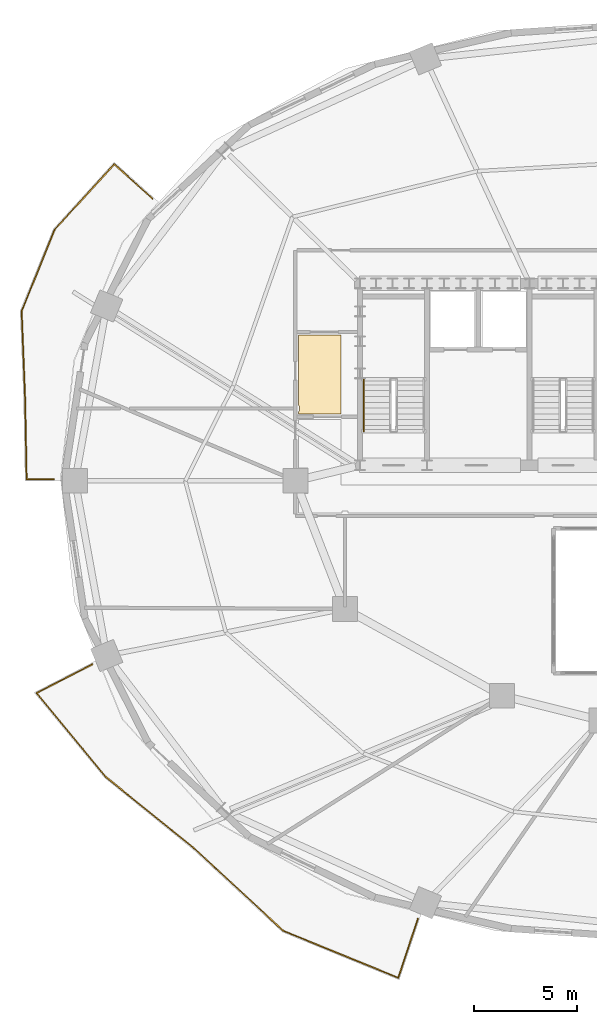
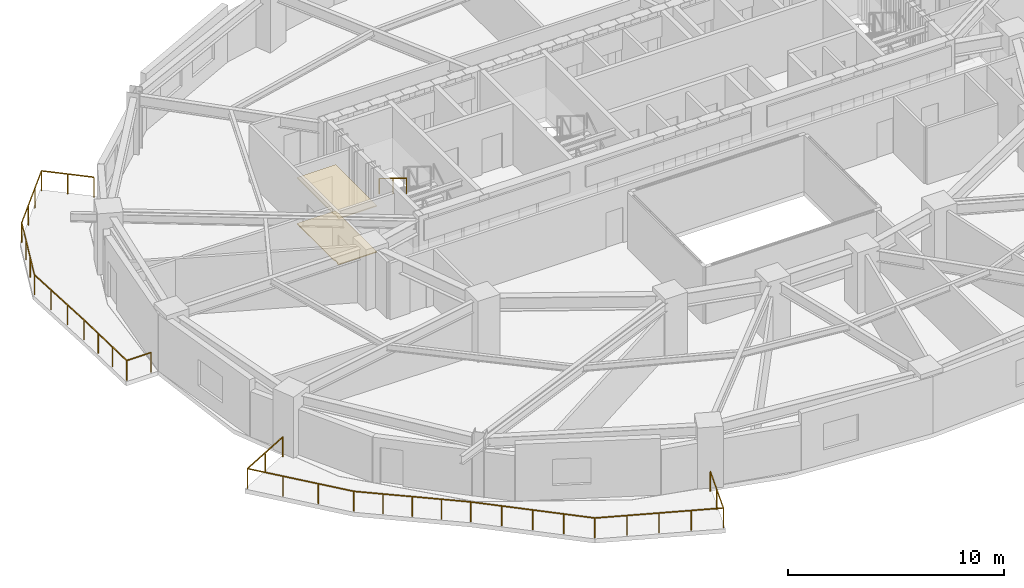
# One storey, part 10 of 12: 3 railings, 2 coverings.
"""IFC4 building model written with IfcOpenShell, lengths in metres."""

from ifc_helpers import new_model, si_unit, direction, frame, origin, origin_2d, place, context, subcontext, project, spatial, polyline, rectangle, outline, extrude, material, layer, layer_set, type_object, element, save


model = new_model("IFC4")

# Units and contexts
model_context = context("Model", 3, precision=1e-05, world=origin(), true_north=direction((0.0, 1.0)))
body_context = subcontext(model_context, "Body", "Model", "MODEL_VIEW")
ifc_project = project(units=[si_unit("LENGTHUNIT", "METRE"), si_unit("AREAUNIT", "SQUARE_METRE"), si_unit("VOLUMEUNIT", "CUBIC_METRE"), si_unit("PLANEANGLEUNIT", "RADIAN"), si_unit("MASSUNIT", "GRAM", prefix="KILO")], contexts=[model_context])

# Site, building, storey
site_placement = place(None, origin())
site = spatial("IfcSite", under=ifc_project, at=site_placement, CompositionType="ELEMENT")
building_placement = place(site_placement, origin())
building = spatial("IfcBuilding", under=site, at=building_placement, Name="Haldorwick Loom Tower", CompositionType="ELEMENT")
storey_placement = place(building_placement, frame((0.0, 0.0, 110.449951171875)))
storey = spatial("IfcBuildingStorey", under=building, at=storey_placement, Name="L29", CompositionType="ELEMENT", Elevation=110.449951171875)

# Coverings
ifc_material_1 = material(Name="Mineral Fibre Acoustic Ceiling Tile")
ifc_layer_1 = layer(ifc_material_1, 0.054931640625, Name="Mineral Fibre Acoustic Ceiling Tile")
ifc_layer_set_1 = layer_set([ifc_layer_1], Name="Mineral Fibre Acoustic Ceiling Tile")
covering_type_1 = type_object("IfcCoveringType", Name="ARC-COV-CEIL2", PredefinedType="CEILING", material=ifc_layer_set_1)
covering_1_placement = place(storey_placement, frame((0.0, 0.0, 2.594970703125)))
element("IfcCovering", 1, at=covering_1_placement, inside=storey, type_object=covering_type_1, Name="L29 Acoustic Suspended Ceiling 2", PredefinedType="CEILING", context=body_context, shape_type="SweptSolid", body=[
    extrude(outline(polyline([(18.969970703125, 29.639892578125), (18.971923828125, 29.639892578125), (18.973876953125, 29.6396484375), (18.975830078125, 29.63916015625), (18.977783203125, 29.638427734375), (18.9794921875, 29.6376953125), (18.981201171875, 29.63671875), (18.982666015625, 29.635498046875), (18.984130859375, 29.634033203125), (18.985595703125, 29.6328125), (18.986572265625, 29.631103515625), (18.987548828125, 29.62939453125), (18.988525390625, 29.627685546875), (18.989013671875, 29.625732421875), (18.989501953125, 29.623779296875), (18.989990234375, 29.6220703125), (18.989990234375, 29.6201171875), (18.989990234375, 29.3798828125), (18.989990234375, 29.3779296875), (18.989501953125, 29.376220703125), (18.989013671875, 29.374267578125), (18.988525390625, 29.372314453125), (18.987548828125, 29.37060546875), (18.986572265625, 29.368896484375), (18.985595703125, 29.3671875), (18.984130859375, 29.365966796875), (18.982666015625, 29.364501953125), (18.981201171875, 29.36328125), (18.9794921875, 29.3623046875), (18.977783203125, 29.361572265625), (18.975830078125, 29.36083984375), (18.973876953125, 29.3603515625), (18.971923828125, 29.360107421875), (18.969970703125, 29.360107421875), (18.93994140625, 29.360107421875), (18.93994140625, 29.239990234375), (21.0, 29.239990234375), (21.0, 33.06005859375), (18.93994140625, 33.06005859375), (18.93994140625, 29.639892578125), (18.969970703125, 29.639892578125)])), origin(), (0.0, 0.0, 1.0), 0.05517578125),
])
ifc_material_2 = material(Name="Polished Aggregate Terrazzo Finish")
ifc_layer_2 = layer(ifc_material_2, 0.044921875, Name="Polished Aggregate Terrazzo Finish")
ifc_layer_set_2 = layer_set([ifc_layer_2], Name="Polished Aggregate Terrazzo Finish")
covering_type_2 = type_object("IfcCoveringType", Name="ARC-COV-FLOOR2", PredefinedType="FLOORING", material=ifc_layer_set_2)
covering_2_placement = place(storey_placement, origin())
element("IfcCovering", 2, at=covering_2_placement, inside=storey, type_object=covering_type_2, Name="L29 Floor Finish 2", PredefinedType="FLOORING", context=body_context, shape_type="SweptSolid", body=[
    extrude(outline(polyline([(18.969970703125, 29.639892578125), (18.971923828125, 29.639892578125), (18.973876953125, 29.6396484375), (18.975830078125, 29.63916015625), (18.977783203125, 29.638427734375), (18.9794921875, 29.6376953125), (18.981201171875, 29.63671875), (18.982666015625, 29.635498046875), (18.984130859375, 29.634033203125), (18.985595703125, 29.6328125), (18.986572265625, 29.631103515625), (18.987548828125, 29.62939453125), (18.988525390625, 29.627685546875), (18.989013671875, 29.625732421875), (18.989501953125, 29.623779296875), (18.989990234375, 29.6220703125), (18.989990234375, 29.6201171875), (18.989990234375, 29.3798828125), (18.989990234375, 29.3779296875), (18.989501953125, 29.376220703125), (18.989013671875, 29.374267578125), (18.988525390625, 29.372314453125), (18.987548828125, 29.37060546875), (18.986572265625, 29.368896484375), (18.985595703125, 29.3671875), (18.984130859375, 29.365966796875), (18.982666015625, 29.364501953125), (18.981201171875, 29.36328125), (18.9794921875, 29.3623046875), (18.977783203125, 29.361572265625), (18.975830078125, 29.36083984375), (18.973876953125, 29.3603515625), (18.971923828125, 29.360107421875), (18.969970703125, 29.360107421875), (18.93994140625, 29.360107421875), (18.93994140625, 29.239990234375), (21.0, 29.239990234375), (21.0, 33.06005859375), (18.93994140625, 33.06005859375), (18.93994140625, 29.639892578125), (18.969970703125, 29.639892578125)])), origin(), (0.0, 0.0, 1.0), 0.045166015625),
])

# Railings
ifc_material_3 = material(Name="Galvanized Steel CSA G40.21 350W", Category="steel")
railing_type_1 = type_object("IfcRailingType", Name="ARC-RLG-BAL115", PredefinedType="BALUSTRADE", material=ifc_material_3)
railing_1_placement = place(storey_placement, frame((24.729248046875, 4.8056640625, 0.0)))
element("IfcRailing", 3, at=railing_1_placement, inside=storey, type_object=railing_type_1, Name="L29 Outdoor Terrace Guardrail SLB-L29-BAL_SW-1", PredefinedType="BALUSTRADE", context=body_context, shape_type="SweptSolid", body=[
    extrude(rectangle(XDim=0.048095703125, YDim=0.048095703125, at=origin_2d()), frame((0.0, 0.0, 1.1259765625), z_axis=(-0.316422381022, -0.948618404201, 0.0), x_axis=(0.948618404201, -0.316422381022, 0.0)), (0.0, 0.0, 1.0), 3.0107421875),
    extrude(rectangle(XDim=0.048095703125, YDim=0.048095703125, at=origin_2d()), frame((-0.95263671875, -2.85595703125, 1.1259765625), z_axis=(-0.925561844607, 0.378596449807, 0.0), x_axis=(-0.378596449807, -0.925561844607, 0.0)), (0.0, 0.0, 1.0), 6.007568359375),
    extrude(rectangle(XDim=0.048095703125, YDim=0.048095703125, at=origin_2d()), frame((-6.512939453125, -0.58154296875, 1.1259765625), z_axis=(-0.734510984815, 0.678596797212, 0.0), x_axis=(-0.678596797212, -0.734510984815, 0.0)), (0.0, 0.0, 1.0), 5.89013671875),
    extrude(rectangle(XDim=0.048095703125, YDim=0.048095703125, at=origin_2d()), frame((-10.83935546875, 3.41552734375, 1.1259765625), z_axis=(-0.752576694707, 0.658504607869, 0.0), x_axis=(-0.658504607869, -0.752576694707, 0.0)), (0.0, 0.0, 1.0), 0.005126953125),
    extrude(rectangle(XDim=0.048095703125, YDim=0.048095703125, at=origin_2d()), frame((-10.84326171875, 3.4189453125, 1.1259765625), z_axis=(-0.777254203953, 0.62918669919, 0.0), x_axis=(-0.62918669919, -0.777254203953, 0.0)), (0.0, 0.0, 1.0), 5.482421875),
    extrude(rectangle(XDim=0.048095703125, YDim=0.048095703125, at=origin_2d()), frame((-15.1044921875, 6.868408203125, 1.1259765625), z_axis=(-0.636953460821, 0.770902256287, 0.0), x_axis=(-0.770902256287, -0.636953460821, 0.0)), (0.0, 0.0, 1.0), 5.256591796875),
    extrude(rectangle(XDim=0.048095703125, YDim=0.048095703125, at=origin_2d()), frame((-18.45263671875, 10.920654296875, 1.1259765625), z_axis=(0.888445041352, 0.458983015478, 0.0), x_axis=(-0.458983015478, 0.888445041352, 0.0)), (0.0, 0.0, 1.0), 3.03515625),
    extrude(rectangle(XDim=0.0419921875, YDim=0.0419921875, at=origin_2d()), origin(), (0.0, 0.0, 1.0), 1.101806640625),
    extrude(rectangle(XDim=0.0419921875, YDim=0.0419921875, at=origin_2d()), frame((-0.476318359375, -1.427978515625, 0.0)), (0.0, 0.0, 1.0), 1.101806640625),
    extrude(rectangle(XDim=0.0419921875, YDim=0.0419921875, at=origin_2d()), frame((-0.95263671875, -2.85595703125, 0.0)), (0.0, 0.0, 1.0), 1.101806640625),
    extrude(rectangle(XDim=0.0419921875, YDim=0.0419921875, at=origin_2d()), frame((-2.3427734375, -2.287353515625, 0.0)), (0.0, 0.0, 1.0), 1.101806640625),
    extrude(rectangle(XDim=0.0419921875, YDim=0.0419921875, at=origin_2d()), frame((-3.73291015625, -1.71875, 0.0)), (0.0, 0.0, 1.0), 1.101806640625),
    extrude(rectangle(XDim=0.0419921875, YDim=0.0419921875, at=origin_2d()), frame((-5.122802734375, -1.150146484375, 0.0)), (0.0, 0.0, 1.0), 1.101806640625),
    extrude(rectangle(XDim=0.0419921875, YDim=0.0419921875, at=origin_2d()), frame((-6.512939453125, -0.58154296875, 0.0)), (0.0, 0.0, 1.0), 1.101806640625),
    extrude(rectangle(XDim=0.0419921875, YDim=0.0419921875, at=origin_2d()), frame((-7.594482421875, 0.417724609375, 0.0)), (0.0, 0.0, 1.0), 1.101806640625),
    extrude(rectangle(XDim=0.0419921875, YDim=0.0419921875, at=origin_2d()), frame((-8.67626953125, 1.4169921875, 0.0)), (0.0, 0.0, 1.0), 1.101806640625),
    extrude(rectangle(XDim=0.0419921875, YDim=0.0419921875, at=origin_2d()), frame((-9.7578125, 2.416259765625, 0.0)), (0.0, 0.0, 1.0), 1.101806640625),
    extrude(rectangle(XDim=0.0419921875, YDim=0.0419921875, at=origin_2d()), frame((-10.83935546875, 3.41552734375, 0.0)), (0.0, 0.0, 1.0), 1.101806640625),
    extrude(rectangle(XDim=0.0419921875, YDim=0.0419921875, at=origin_2d()), frame((-11.90869140625, 4.28125, 0.0)), (0.0, 0.0, 1.0), 1.101806640625),
    extrude(rectangle(XDim=0.0419921875, YDim=0.0419921875, at=origin_2d()), frame((-12.973876953125, 5.1435546875, 0.0)), (0.0, 0.0, 1.0), 1.101806640625),
    extrude(rectangle(XDim=0.0419921875, YDim=0.0419921875, at=origin_2d()), frame((-14.0390625, 6.006103515625, 0.0)), (0.0, 0.0, 1.0), 1.101806640625),
    extrude(rectangle(XDim=0.0419921875, YDim=0.0419921875, at=origin_2d()), frame((-15.1044921875, 6.868408203125, 0.0)), (0.0, 0.0, 1.0), 1.101806640625),
    extrude(rectangle(XDim=0.0419921875, YDim=0.0419921875, at=origin_2d()), frame((-16.220458984375, 8.21923828125, 0.0)), (0.0, 0.0, 1.0), 1.101806640625),
    extrude(rectangle(XDim=0.0419921875, YDim=0.0419921875, at=origin_2d()), frame((-17.336669921875, 9.56982421875, 0.0)), (0.0, 0.0, 1.0), 1.101806640625),
    extrude(rectangle(XDim=0.0419921875, YDim=0.0419921875, at=origin_2d()), frame((-18.45263671875, 10.920654296875, 0.0)), (0.0, 0.0, 1.0), 1.101806640625),
    extrude(rectangle(XDim=0.0419921875, YDim=0.0419921875, at=origin_2d()), frame((-17.1044921875, 11.6171875, 0.0)), (0.0, 0.0, 1.0), 1.101806640625),
    extrude(rectangle(XDim=0.0419921875, YDim=0.0419921875, at=origin_2d()), frame((-15.756103515625, 12.313720703125, 0.0)), (0.0, 0.0, 1.0), 1.101806640625),
])
railing_2_placement = place(storey_placement, frame((7.09912109375, 26.080078125, 0.0)))
element("IfcRailing", 4, at=railing_2_placement, inside=storey, type_object=railing_type_1, Name="L29 Outdoor Terrace Guardrail SLB-L29-BAL_WNW-1", PredefinedType="BALUSTRADE", context=body_context, shape_type="SweptSolid", body=[
    extrude(rectangle(XDim=0.048095703125, YDim=0.048095703125, at=origin_2d()), frame((0.0, 0.0, 1.1259765625), z_axis=(-1.0, 0.0, 0.0), x_axis=(0.0, -1.0, 0.0)), (0.0, 0.0, 1.0), 1.3046875),
    extrude(rectangle(XDim=0.048095703125, YDim=0.048095703125, at=origin_2d()), frame((-1.3046875, 0.0, 1.1259765625), z_axis=(-0.018706157389, 0.99982502453, 0.0), x_axis=(-0.99982502453, -0.018706157389, 0.0)), (0.0, 0.0, 1.0), 3.837158203125),
    extrude(rectangle(XDim=0.048095703125, YDim=0.048095703125, at=origin_2d()), frame((-1.37646484375, 3.83642578125, 1.1259765625), z_axis=(-0.141421356237, 0.989949493661, 0.0), x_axis=(-0.989949493661, -0.141421356237, 0.0)), (0.0, 0.0, 1.0), 0.001708984375),
    extrude(rectangle(XDim=0.048095703125, YDim=0.048095703125, at=origin_2d()), frame((-1.376708984375, 3.838134765625, 1.1259765625), z_axis=(-0.039064224332, 0.999236701877, 0.0), x_axis=(-0.999236701877, -0.039064224332, 0.0)), (0.0, 0.0, 1.0), 4.29345703125),
    extrude(rectangle(XDim=0.048095703125, YDim=0.048095703125, at=origin_2d()), frame((-1.54443359375, 8.12841796875, 1.1259765625), z_axis=(0.375421536882, 0.926854179278, 0.0), x_axis=(-0.926854179278, 0.375421536882, 0.0)), (0.0, 0.0, 1.0), 4.2568359375),
    extrude(rectangle(XDim=0.048095703125, YDim=0.048095703125, at=origin_2d()), frame((0.0537109375, 12.073974609375, 1.1259765625), z_axis=(0.673469917187, 0.739214630972, 0.0), x_axis=(-0.739214630972, 0.673469917187, 0.0)), (0.0, 0.0, 1.0), 4.28173828125),
    extrude(rectangle(XDim=0.048095703125, YDim=0.048095703125, at=origin_2d()), frame((2.937255859375, 15.239013671875, 1.1259765625), z_axis=(0.743352751679, -0.668899608739, 0.0), x_axis=(0.668899608739, 0.743352751679, 0.0)), (0.0, 0.0, 1.0), 2.485595703125),
    extrude(rectangle(XDim=0.0419921875, YDim=0.0419921875, at=origin_2d()), origin(), (0.0, 0.0, 1.0), 1.101806640625),
    extrude(rectangle(XDim=0.0419921875, YDim=0.0419921875, at=origin_2d()), frame((-1.3046875, 0.0, 0.0)), (0.0, 0.0, 1.0), 1.101806640625),
    extrude(rectangle(XDim=0.0419921875, YDim=0.0419921875, at=origin_2d()), frame((-1.32861328125, 1.27880859375, 0.0)), (0.0, 0.0, 1.0), 1.101806640625),
    extrude(rectangle(XDim=0.0419921875, YDim=0.0419921875, at=origin_2d()), frame((-1.3525390625, 2.5576171875, 0.0)), (0.0, 0.0, 1.0), 1.101806640625),
    extrude(rectangle(XDim=0.0419921875, YDim=0.0419921875, at=origin_2d()), frame((-1.37646484375, 3.83642578125, 0.0)), (0.0, 0.0, 1.0), 1.101806640625),
    extrude(rectangle(XDim=0.0419921875, YDim=0.0419921875, at=origin_2d()), frame((-1.4326171875, 5.268310546875, 0.0)), (0.0, 0.0, 1.0), 1.101806640625),
    extrude(rectangle(XDim=0.0419921875, YDim=0.0419921875, at=origin_2d()), frame((-1.488525390625, 6.6982421875, 0.0)), (0.0, 0.0, 1.0), 1.101806640625),
    extrude(rectangle(XDim=0.0419921875, YDim=0.0419921875, at=origin_2d()), frame((-1.54443359375, 8.12841796875, 0.0)), (0.0, 0.0, 1.0), 1.101806640625),
    extrude(rectangle(XDim=0.0419921875, YDim=0.0419921875, at=origin_2d()), frame((-1.01171875, 9.443603515625, 0.0)), (0.0, 0.0, 1.0), 1.101806640625),
    extrude(rectangle(XDim=0.0419921875, YDim=0.0419921875, at=origin_2d()), frame((-0.47900390625, 10.7587890625, 0.0)), (0.0, 0.0, 1.0), 1.101806640625),
    extrude(rectangle(XDim=0.0419921875, YDim=0.0419921875, at=origin_2d()), frame((0.0537109375, 12.073974609375, 0.0)), (0.0, 0.0, 1.0), 1.101806640625),
    extrude(rectangle(XDim=0.0419921875, YDim=0.0419921875, at=origin_2d()), frame((1.014892578125, 13.12890625, 0.0)), (0.0, 0.0, 1.0), 1.101806640625),
    extrude(rectangle(XDim=0.0419921875, YDim=0.0419921875, at=origin_2d()), frame((1.97607421875, 14.18408203125, 0.0)), (0.0, 0.0, 1.0), 1.101806640625),
    extrude(rectangle(XDim=0.0419921875, YDim=0.0419921875, at=origin_2d()), frame((2.937255859375, 15.239013671875, 0.0)), (0.0, 0.0, 1.0), 1.101806640625),
    extrude(rectangle(XDim=0.0419921875, YDim=0.0419921875, at=origin_2d()), frame((3.861083984375, 14.40771484375, 0.0)), (0.0, 0.0, 1.0), 1.101806640625),
    extrude(rectangle(XDim=0.0419921875, YDim=0.0419921875, at=origin_2d()), frame((4.784912109375, 13.576416015625, 0.0)), (0.0, 0.0, 1.0), 1.101806640625),
])
ifc_material_4 = material(Name="Steel CSA G40.21 350W", Category="steel")
railing_type_2 = type_object("IfcRailingType", Name="ARC-RLG-HAND092", PredefinedType="HANDRAIL", material=ifc_material_4)
railing_3_placement = place(storey_placement, frame((22.10009765625, 30.919921875, 1.8974609375)))
element("IfcRailing", 5, at=railing_3_placement, inside=storey, type_object=railing_type_2, Name="L29 ST-01 stair handrail 2", PredefinedType="HANDRAIL", context=body_context, shape_type="SweptSolid", body=[
    extrude(rectangle(XDim=0.048095703125, YDim=0.048095703125, at=origin_2d()), frame((0.0, 0.0, 0.8759765625), z_axis=(0.0, -0.851400495292, 0.524516154772), x_axis=(1.0, 0.0, 0.0)), (0.0, 0.0, 1.0), 2.9599609375),
    extrude(rectangle(XDim=0.0419921875, YDim=0.0419921875, at=origin_2d()), origin(), (0.0, 0.0, 1.0), 0.851806640625),
    extrude(rectangle(XDim=0.0419921875, YDim=0.0419921875, at=origin_2d()), frame((0.0, -1.260009765625, 0.7763671875)), (0.0, 0.0, 1.0), 0.851806640625),
    extrude(rectangle(XDim=0.0419921875, YDim=0.0419921875, at=origin_2d()), frame((0.0, -2.52001953125, 1.552490234375)), (0.0, 0.0, 1.0), 0.851806640625),
])

save(model, "model.ifc")
